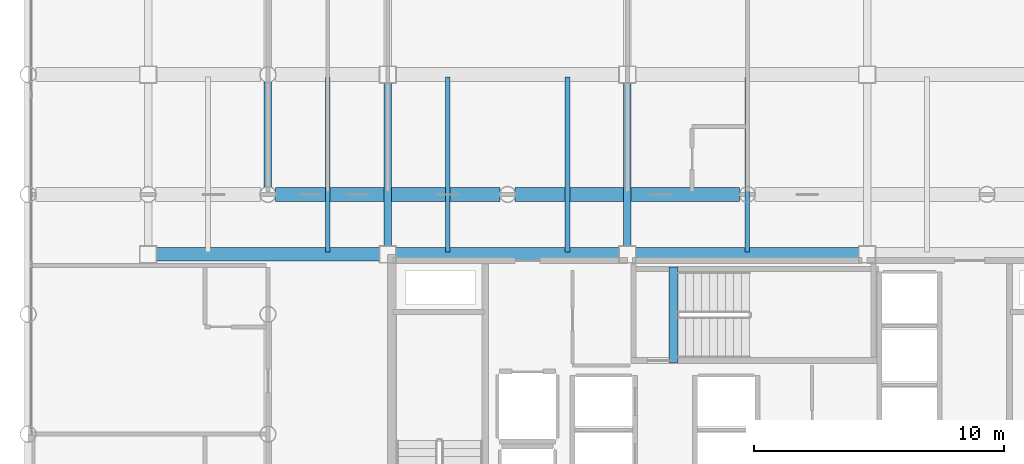
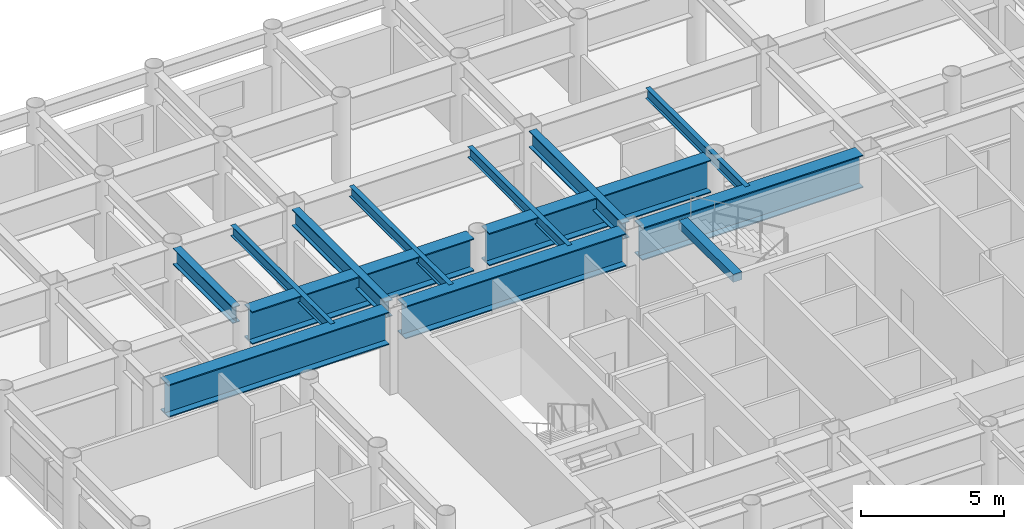
# One storey, part 6 of 22: 13 beams.
"""IFC4 building model written with IfcOpenShell, lengths in metres."""

from ifc_helpers import new_model, si_unit, direction, frame, origin, origin_2d, place, context, subcontext, project, spatial, rectangle, i_section, extrude, material, material_profile, profile_set, type_object, element, save


model = new_model("IFC4")

# Units and contexts
model_context = context("Model", 3, precision=1e-05, world=origin(), true_north=direction((0.0, 1.0)))
body_context = subcontext(model_context, "Body", "Model", "MODEL_VIEW")
ifc_project = project(units=[si_unit("LENGTHUNIT", "METRE"), si_unit("AREAUNIT", "SQUARE_METRE"), si_unit("VOLUMEUNIT", "CUBIC_METRE"), si_unit("PLANEANGLEUNIT", "RADIAN"), si_unit("MASSUNIT", "GRAM", prefix="KILO")], contexts=[model_context])

# Site, building, storey
site_placement = place(None, origin())
site = spatial("IfcSite", under=ifc_project, at=site_placement, CompositionType="ELEMENT")
building_placement = place(site_placement, origin())
building = spatial("IfcBuilding", under=site, at=building_placement, Name="Kallvorn Hotel Tower", CompositionType="ELEMENT")
storey_placement = place(building_placement, frame((0.0, 0.0, 95.199951171875)))
storey = spatial("IfcBuildingStorey", under=building, at=storey_placement, Name="L22", CompositionType="ELEMENT", Elevation=95.199951171875)

# Beams
ifc_material_1 = material(Name="Structural steel S355JR", Category="steel")
ifc_material_profile_1 = material_profile(ifc_material_1, i_section(OverallWidth=0.300048828125, OverallDepth=0.699951171875, WebThickness=0.01708984375, FlangeThickness=0.031982421875, at=origin_2d()), Name="HE 700 B")
ifc_profile_set_1 = profile_set([ifc_material_profile_1], Name="Structural steel S355JR")
beam_type_1 = type_object("IfcBeamType", Name="BM_HE700B", PredefinedType="BEAM", material=ifc_profile_set_1)
beam_1_placement = place(storey_placement, frame((-19.199951171875, 9.905029296875, 3.170166015625), z_axis=(0.0, 1.0, 0.0), x_axis=(-1.0, 0.0, 0.0)))
element("IfcBeam", 1, at=beam_1_placement, inside=storey, type_object=beam_type_1, Name="L23 Primary Y-Girder 94", PredefinedType="BEAM", context=body_context, shape_type="SweptSolid", body=[
    extrude(i_section(OverallWidth=0.300048828125, OverallDepth=0.699951171875, WebThickness=0.01708984375, FlangeThickness=0.031982421875, at=origin_2d()), origin(), (0.0, 0.0, 1.0), 4.18994140625),
])
for number, where, z_axis, x_axis, name in (
    (2, (-14.39990234375, 7.52490234375, 3.170166015625), (0.0, 1.0, 0.0), (-1.0, 0.0, 0.0), "L23 Primary Y-Girder 99"),
    (3, (-4.800048828125, 7.52490234375, 3.170166015625), (0.0, 1.0, 0.0), (-1.0, 0.0, 0.0), "L23 Primary Y-Girder 107"),
):
    element("IfcBeam", number, at=place(storey_placement, frame(where, z_axis=z_axis, x_axis=x_axis)), inside=storey, type_object=beam_type_1, Name=name, PredefinedType="BEAM", context=body_context, shape_type="SweptSolid", body=[
        extrude(i_section(OverallWidth=0.300048828125, OverallDepth=0.699951171875, WebThickness=0.01708984375, FlangeThickness=0.031982421875, at=origin_2d()), origin(), (0.0, 0.0, 1.0), 6.550048828125),
    ])
ifc_material_2 = material(Name="Structural steel S355JR", Category="steel")
ifc_material_profile_2 = material_profile(ifc_material_2, i_section(OverallWidth=0.18994140625, OverallDepth=0.449951171875, WebThickness=0.009521484375, FlangeThickness=0.0146484375, at=origin_2d()), Name="IPE 450")
ifc_profile_set_2 = profile_set([ifc_material_profile_2], Name="Structural steel S355JR")
beam_type_2 = type_object("IfcBeamType", Name="BM_IPE450", PredefinedType="JOIST", material=ifc_profile_set_2)
for number, where, z_axis, x_axis, name in (
    (4, (-16.800048828125, 7.300048828125, 3.295166015625), (0.0, 1.0, 0.0), (-1.0, 0.0, 0.0), "L23 Secondary Composite Joist 195"),
    (5, (-12.0, 7.300048828125, 3.295166015625), (0.0, 1.0, 0.0), (-1.0, 0.0, 0.0), "L23 Secondary Composite Joist 197"),
    (6, (-7.199951171875, 7.300048828125, 3.295166015625), (0.0, 1.0, 0.0), (-1.0, 0.0, 0.0), "L23 Secondary Composite Joist 199"),
    (7, (0.0, 7.300048828125, 3.295166015625), (0.0, 1.0, 0.0), (-1.0, 0.0, 0.0), "L23 Secondary Composite Joist 201"),
):
    element("IfcBeam", number, at=place(storey_placement, frame(where, z_axis=z_axis, x_axis=x_axis)), inside=storey, type_object=beam_type_2, Name=name, PredefinedType="JOIST", context=body_context, shape_type="SweptSolid", body=[
        extrude(i_section(OverallWidth=0.18994140625, OverallDepth=0.449951171875, WebThickness=0.009521484375, FlangeThickness=0.0146484375, at=origin_2d()), origin(), (0.0, 0.0, 1.0), 7.0),
    ])
ifc_material_3 = material(Name="Structural steel S355JR", Category="steel")
ifc_material_profile_3 = material_profile(ifc_material_3, i_section(OverallWidth=0.550048828125, OverallDepth=1.39990234375, WebThickness=0.02490234375, FlangeThickness=0.044921875, at=origin_2d()), Name="PG 1400x550x25x45")
ifc_profile_set_3 = profile_set([ifc_material_profile_3], Name="Structural steel S355JR")
beam_type_3 = type_object("IfcBeamType", Name="BM_PG_1400", PredefinedType="BEAM", material=ifc_profile_set_3)
for number, where, z_axis, x_axis, name in (
    (8, (-23.675048828125, 7.199951171875, 2.820068359375), (1.0, 0.0, 0.0), (0.0, 1.0, 0.0), "L23 Primary X-Girder 36"),
    (9, (-14.074951171875, 7.199951171875, 2.820068359375), (1.0, 0.0, 0.0), (0.0, 1.0, 0.0), "L23 Primary X-Girder 37"),
):
    element("IfcBeam", number, at=place(storey_placement, frame(where, z_axis=z_axis, x_axis=x_axis)), inside=storey, type_object=beam_type_3, Name=name, PredefinedType="BEAM", context=body_context, shape_type="SweptSolid", body=[
        extrude(i_section(OverallWidth=0.550048828125, OverallDepth=1.39990234375, WebThickness=0.02490234375, FlangeThickness=0.044921875, at=origin_2d()), origin(), (0.0, 0.0, 1.0), 8.949951171875),
    ])
beam_2_placement = place(storey_placement, frame((-4.47509765625, 7.199951171875, 2.820068359375), z_axis=(1.0, 0.0, 0.0), x_axis=(0.0, 1.0, 0.0)))
element("IfcBeam", 10, at=beam_2_placement, inside=storey, type_object=beam_type_3, Name="L23 Primary X-Girder 38", PredefinedType="BEAM", context=body_context, shape_type="SweptSolid", body=[
    extrude(i_section(OverallWidth=0.550048828125, OverallDepth=1.39990234375, WebThickness=0.02490234375, FlangeThickness=0.044921875, at=origin_2d()), origin(), (0.0, 0.0, 1.0), 8.9501953125),
])
for number, where, z_axis, x_axis, name in (
    (11, (-18.89501953125, 9.60009765625, 2.820068359375), (1.0, 0.0, 0.0), (0.0, 1.0, 0.0), "L23 Primary X-Girder 43"),
    (12, (-9.294921875, 9.60009765625, 2.820068359375), (1.0, 0.0, 0.0), (0.0, 1.0, 0.0), "L23 Primary X-Girder 44"),
):
    element("IfcBeam", number, at=place(storey_placement, frame(where, z_axis=z_axis, x_axis=x_axis)), inside=storey, type_object=beam_type_3, Name=name, PredefinedType="BEAM", context=body_context, shape_type="SweptSolid", body=[
        extrude(i_section(OverallWidth=0.550048828125, OverallDepth=1.39990234375, WebThickness=0.02490234375, FlangeThickness=0.044921875, at=origin_2d()), origin(), (0.0, 0.0, 1.0), 8.989990234375),
    ])
ifc_material_4 = material(Name="Concrete C50/60", Category="concrete")
ifc_material_profile_4 = material_profile(ifc_material_4, rectangle(XDim=0.360107421875, YDim=0.340087890625, at=origin_2d()), Name="RC 360x340")
ifc_profile_set_4 = profile_set([ifc_material_profile_4], Name="Concrete C50/60")
beam_type_4 = type_object("IfcBeamType", Name="BM_RC_400x360", PredefinedType="BEAM", material=ifc_profile_set_4)
beam_3_placement = place(storey_placement, frame((-2.9599609375, 2.8701171875, 3.35009765625), z_axis=(0.0, 1.0, 0.0), x_axis=(-1.0, 0.0, 0.0)))
element("IfcBeam", 13, at=beam_3_placement, inside=storey, type_object=beam_type_4, Name="L23 Stair ST3 Arrival Trimmer Beam", PredefinedType="BEAM", context=body_context, shape_type="SweptSolid", body=[
    extrude(rectangle(XDim=0.360107421875, YDim=0.340087890625, at=origin_2d()), origin(), (0.0, 0.0, 1.0), 3.81982421875),
])

save(model, "model.ifc")
